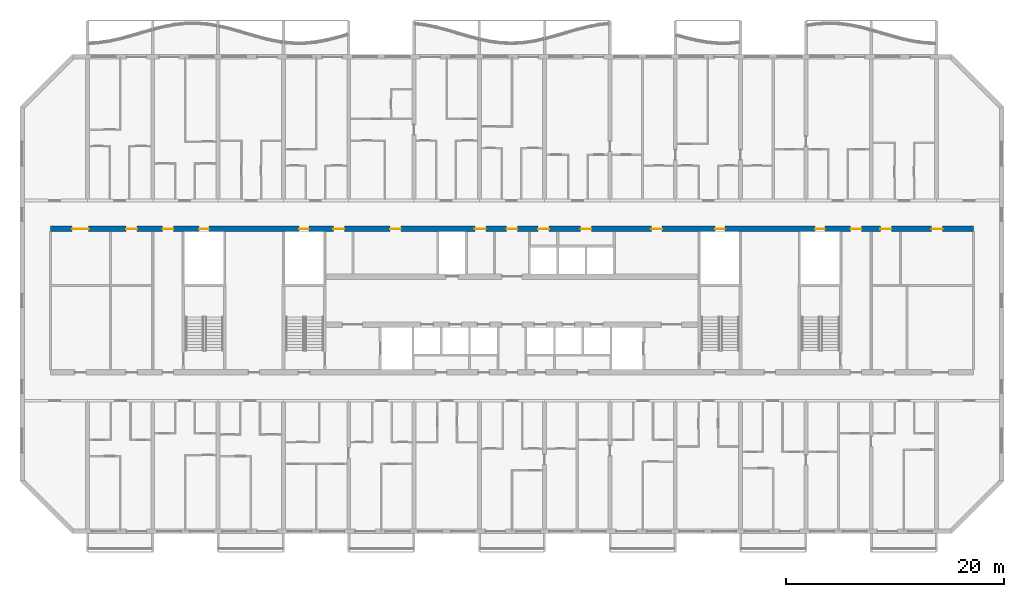
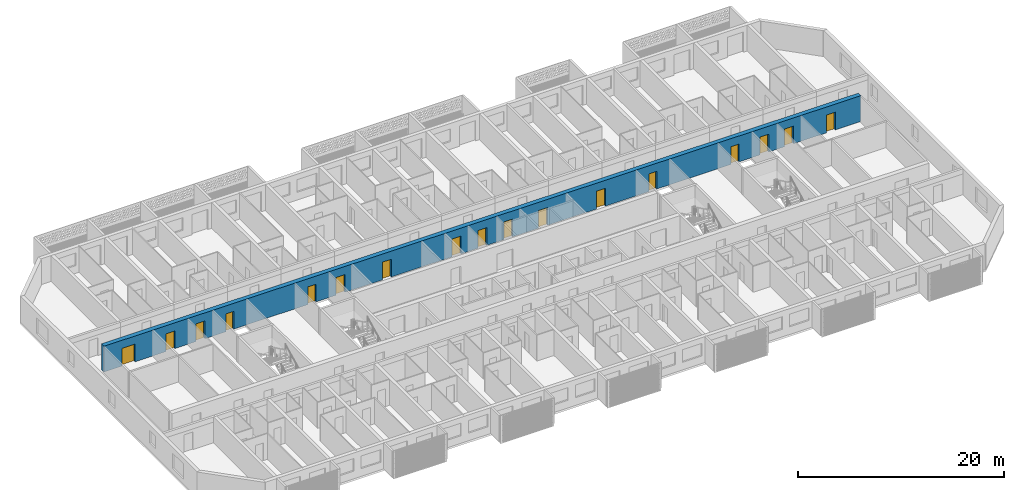
# One storey, part 8 of 27: 17 doors, 1 wall, 17 openings.
"""IFC4 building model written with IfcOpenShell, lengths in metres."""

from ifc_helpers import new_model, si_unit, direction, frame, frame_2d, origin, place, context, subcontext, project, spatial, rectangle, extrude, material, layer, layer_set, type_object, element, fill, save


model = new_model("IFC4")

# Units and contexts
model_context = context("Model", 3, precision=1e-05, world=origin(), true_north=direction((0.0, 1.0)))
body_context = subcontext(model_context, "Body", "Model", "MODEL_VIEW")
ifc_project = project(units=[si_unit("LENGTHUNIT", "METRE"), si_unit("AREAUNIT", "SQUARE_METRE"), si_unit("VOLUMEUNIT", "CUBIC_METRE"), si_unit("PLANEANGLEUNIT", "RADIAN"), si_unit("MASSUNIT", "GRAM", prefix="KILO")], contexts=[model_context])

# Site, building, storey
site_placement = place(None, origin())
site = spatial("IfcSite", under=ifc_project, at=site_placement, CompositionType="ELEMENT")
building_placement = place(site_placement, origin())
building = spatial("IfcBuilding", under=site, at=building_placement, Name="Poui Terraces", CompositionType="ELEMENT")
storey_placement = place(building_placement, frame((0.0, 0.0, 76.199951171875)))
storey = spatial("IfcBuildingStorey", under=building, at=storey_placement, Name="L20", CompositionType="ELEMENT", Elevation=76.199951171875)

# Wall, openings, doors
ifc_material_1 = material(Name="Concrete 65 MPa", Category="concrete")
ifc_layer = layer(ifc_material_1, 0.5)
ifc_layer_set = layer_set([ifc_layer], Name="Concrete 65 MPa")
wall_type = type_object("IfcWallType", Name="SPINE WALL 500 65 MPA", PredefinedType="SOLIDWALL", material=ifc_layer_set)
wall_placement = place(storey_placement, frame((8.60009765625, 27.800048828125, 0.0), z_axis=(0.0, 0.0, 1.0), x_axis=(1.0, 0.0, 0.0)))
wall = element("IfcWall", 1, at=wall_placement, inside=storey, type_object=wall_type, Name="SPINE WALL", PredefinedType="SOLIDWALL", context=body_context, shape_type="SweptSolid", body=[
    extrude(rectangle(XDim=84.7998046875, YDim=0.5, at=frame_2d((42.39990234375, 0.0))), origin(), (0.0, 0.0, 1.0), 3.06005859375),
])
opening_1_placement = place(wall_placement, frame((2.0, 0.0, 0.0)))
opening_1 = element("IfcOpeningElement", 2, at=opening_1_placement, cuts=wall, Name="Opening FDP", PredefinedType="OPENING", context=body_context, shape_type="SweptSolid", body=[
    extrude(rectangle(XDim=1.5, YDim=2.10009765625, at=frame_2d((0.75, 1.050048828125))), frame((0.0, 0.260009765625, 0.0), z_axis=(0.0, -1.0, 0.0), x_axis=(1.0, 0.0, 0.0)), (0.0, 0.0, 1.0), 0.52001953125),
])
opening_2_placement = place(wall_placement, frame((6.949951171875, 0.0, 0.0)))
opening_2 = element("IfcOpeningElement", 3, at=opening_2_placement, cuts=wall, Name="Opening D100", PredefinedType="OPENING", context=body_context, shape_type="SweptSolid", body=[
    extrude(rectangle(XDim=1.0, YDim=2.10009765625, at=frame_2d((0.5, 1.050048828125))), frame((0.0, 0.260009765625, 0.0), z_axis=(0.0, -1.0, 0.0), x_axis=(1.0, 0.0, 0.0)), (0.0, 0.0, 1.0), 0.52001953125),
])
opening_3_placement = place(wall_placement, frame((10.300048828125, 0.0, 0.0)))
opening_3 = element("IfcOpeningElement", 4, at=opening_3_placement, cuts=wall, Name="Opening FDL", PredefinedType="OPENING", context=body_context, shape_type="SweptSolid", body=[
    extrude(rectangle(XDim=1.0, YDim=2.10009765625, at=frame_2d((0.5, 1.050048828125))), frame((0.0, 0.260009765625, 0.0), z_axis=(0.0, -1.0, 0.0), x_axis=(1.0, 0.0, 0.0)), (0.0, 0.0, 1.0), 0.52001953125),
])
opening_4_placement = place(wall_placement, frame((13.64990234375, 0.0, 0.0)))
opening_4 = element("IfcOpeningElement", 5, at=opening_4_placement, cuts=wall, Name="Opening FDR", PredefinedType="OPENING", context=body_context, shape_type="SweptSolid", body=[
    extrude(rectangle(XDim=0.89990234375, YDim=2.10009765625, at=frame_2d((0.449951171875, 1.050048828125))), frame((0.0, 0.260009765625, 0.0), z_axis=(0.0, -1.0, 0.0), x_axis=(1.0, 0.0, 0.0)), (0.0, 0.0, 1.0), 0.52001953125),
])
opening_5_placement = place(wall_placement, frame((22.85009765625, 0.0, 0.0)))
opening_5 = element("IfcOpeningElement", 6, at=opening_5_placement, cuts=wall, Name="Opening FDR", PredefinedType="OPENING", context=body_context, shape_type="SweptSolid", body=[
    extrude(rectangle(XDim=0.89990234375, YDim=2.10009765625, at=frame_2d((0.449951171875, 1.050048828125))), frame((0.0, 0.260009765625, 0.0), z_axis=(0.0, -1.0, 0.0), x_axis=(1.0, 0.0, 0.0)), (0.0, 0.0, 1.0), 0.52001953125),
])
opening_6_placement = place(wall_placement, frame((26.0, 0.0, 0.0)))
opening_6 = element("IfcOpeningElement", 7, at=opening_6_placement, cuts=wall, Name="Opening FD60", PredefinedType="OPENING", context=body_context, shape_type="SweptSolid", body=[
    extrude(rectangle(XDim=1.0, YDim=2.10009765625, at=frame_2d((0.5, 1.050048828125))), frame((0.0, 0.260009765625, 0.0), z_axis=(0.0, -1.0, 0.0), x_axis=(1.0, 0.0, 0.0)), (0.0, 0.0, 1.0), 0.52001953125),
])
opening_7_placement = place(wall_placement, frame((31.199951171875, 0.0, 0.0)))
opening_7 = element("IfcOpeningElement", 8, at=opening_7_placement, cuts=wall, Name="Opening FD60", PredefinedType="OPENING", context=body_context, shape_type="SweptSolid", body=[
    extrude(rectangle(XDim=1.0, YDim=2.10009765625, at=frame_2d((0.5, 1.050048828125))), frame((0.0, 0.260009765625, 0.0), z_axis=(0.0, -1.0, 0.0), x_axis=(1.0, 0.0, 0.0)), (0.0, 0.0, 1.0), 0.52001953125),
])
opening_8_placement = place(wall_placement, frame((39.0, 0.0, 0.0)))
opening_8 = element("IfcOpeningElement", 9, at=opening_8_placement, cuts=wall, Name="Opening FD60", PredefinedType="OPENING", context=body_context, shape_type="SweptSolid", body=[
    extrude(rectangle(XDim=1.0, YDim=2.10009765625, at=frame_2d((0.5, 1.050048828125))), frame((0.0, 0.260009765625, 0.0), z_axis=(0.0, -1.0, 0.0), x_axis=(1.0, 0.0, 0.0)), (0.0, 0.0, 1.0), 0.52001953125),
])
opening_9_placement = place(wall_placement, frame((41.89990234375, 0.0, 0.0)))
opening_9 = element("IfcOpeningElement", 10, at=opening_9_placement, cuts=wall, Name="Opening FDL", PredefinedType="OPENING", context=body_context, shape_type="SweptSolid", body=[
    extrude(rectangle(XDim=1.0, YDim=2.10009765625, at=frame_2d((0.5, 1.050048828125))), frame((0.0, 0.260009765625, 0.0), z_axis=(0.0, -1.0, 0.0), x_axis=(1.0, 0.0, 0.0)), (0.0, 0.0, 1.0), 0.52001953125),
])
opening_10_placement = place(wall_placement, frame((44.800048828125, 0.0, 0.0)))
opening_10 = element("IfcOpeningElement", 11, at=opening_10_placement, cuts=wall, Name="Opening FD60", PredefinedType="OPENING", context=body_context, shape_type="SweptSolid", body=[
    extrude(rectangle(XDim=1.0, YDim=2.10009765625, at=frame_2d((0.5, 1.050048828125))), frame((0.0, 0.260009765625, 0.0), z_axis=(0.0, -1.0, 0.0), x_axis=(1.0, 0.0, 0.0)), (0.0, 0.0, 1.0), 0.52001953125),
])
opening_11_placement = place(wall_placement, frame((48.699951171875, 0.0, 0.0)))
opening_11 = element("IfcOpeningElement", 12, at=opening_11_placement, cuts=wall, Name="Opening FD60", PredefinedType="OPENING", context=body_context, shape_type="SweptSolid", body=[
    extrude(rectangle(XDim=1.0, YDim=2.10009765625, at=frame_2d((0.5, 1.050048828125))), frame((0.0, 0.260009765625, 0.0), z_axis=(0.0, -1.0, 0.0), x_axis=(1.0, 0.0, 0.0)), (0.0, 0.0, 1.0), 0.52001953125),
])
opening_12_placement = place(wall_placement, frame((55.199951171875, 0.0, 0.0)))
opening_12 = element("IfcOpeningElement", 13, at=opening_12_placement, cuts=wall, Name="Opening FD60", PredefinedType="OPENING", context=body_context, shape_type="SweptSolid", body=[
    extrude(rectangle(XDim=1.0, YDim=2.10009765625, at=frame_2d((0.5, 1.050048828125))), frame((0.0, 0.260009765625, 0.0), z_axis=(0.0, -1.0, 0.0), x_axis=(1.0, 0.0, 0.0)), (0.0, 0.0, 1.0), 0.52001953125),
])
opening_13_placement = place(wall_placement, frame((61.050048828125, 0.0, 0.0)))
opening_13 = element("IfcOpeningElement", 14, at=opening_13_placement, cuts=wall, Name="Opening FDR", PredefinedType="OPENING", context=body_context, shape_type="SweptSolid", body=[
    extrude(rectangle(XDim=0.89990234375, YDim=2.10009765625, at=frame_2d((0.449951171875, 1.050048828125))), frame((0.0, 0.260009765625, 0.0), z_axis=(0.0, -1.0, 0.0), x_axis=(1.0, 0.0, 0.0)), (0.0, 0.0, 1.0), 0.52001953125),
])
opening_14_placement = place(wall_placement, frame((70.25, 0.0, 0.0)))
opening_14 = element("IfcOpeningElement", 15, at=opening_14_placement, cuts=wall, Name="Opening FDR", PredefinedType="OPENING", context=body_context, shape_type="SweptSolid", body=[
    extrude(rectangle(XDim=0.89990234375, YDim=2.10009765625, at=frame_2d((0.449951171875, 1.050048828125))), frame((0.0, 0.260009765625, 0.0), z_axis=(0.0, -1.0, 0.0), x_axis=(1.0, 0.0, 0.0)), (0.0, 0.0, 1.0), 0.52001953125),
])
opening_15_placement = place(wall_placement, frame((73.5, 0.0, 0.0)))
opening_15 = element("IfcOpeningElement", 16, at=opening_15_placement, cuts=wall, Name="Opening FDL", PredefinedType="OPENING", context=body_context, shape_type="SweptSolid", body=[
    extrude(rectangle(XDim=1.0, YDim=2.10009765625, at=frame_2d((0.5, 1.050048828125))), frame((0.0, 0.260009765625, 0.0), z_axis=(0.0, -1.0, 0.0), x_axis=(1.0, 0.0, 0.0)), (0.0, 0.0, 1.0), 0.52001953125),
])
opening_16_placement = place(wall_placement, frame((76.25, 0.0, 0.0)))
opening_16 = element("IfcOpeningElement", 17, at=opening_16_placement, cuts=wall, Name="Opening FD60", PredefinedType="OPENING", context=body_context, shape_type="SweptSolid", body=[
    extrude(rectangle(XDim=1.0, YDim=2.10009765625, at=frame_2d((0.5, 1.050048828125))), frame((0.0, 0.260009765625, 0.0), z_axis=(0.0, -1.0, 0.0), x_axis=(1.0, 0.0, 0.0)), (0.0, 0.0, 1.0), 0.52001953125),
])
opening_17_placement = place(wall_placement, frame((80.949951171875, 0.0, 0.0)))
opening_17 = element("IfcOpeningElement", 18, at=opening_17_placement, cuts=wall, Name="Opening FD60", PredefinedType="OPENING", context=body_context, shape_type="SweptSolid", body=[
    extrude(rectangle(XDim=1.0, YDim=2.10009765625, at=frame_2d((0.5, 1.050048828125))), frame((0.0, 0.260009765625, 0.0), z_axis=(0.0, -1.0, 0.0), x_axis=(1.0, 0.0, 0.0)), (0.0, 0.0, 1.0), 0.52001953125),
])
ifc_material_2 = material(Name="Solid core timber door", Category="wood")
door_type_1 = type_object("IfcDoorType", Name="ACCESSIBLE INTERNAL DOOR 1000 X 2100", OperationType="NOTDEFINED", PredefinedType="DOOR", material=ifc_material_2)
door_1_placement = place(opening_2_placement, origin())
door_1 = element("IfcDoor", 19, at=door_1_placement, inside=storey, type_object=door_type_1, Name="ACCESSIBLE INTERNAL DOOR 002", OperationType="SINGLE_SWING_RIGHT", OverallHeight=2.10009765625, OverallWidth=1.0, PredefinedType="DOOR", context=body_context, shape_type="SweptSolid", body=[
    extrude(rectangle(XDim=1.0, YDim=2.10009765625, at=frame_2d((0.5, 1.050048828125))), frame((0.0, 0.02490234375, 0.0), z_axis=(0.0, -1.0, 0.0), x_axis=(1.0, 0.0, 0.0)), (0.0, 0.0, 1.0), 0.050048828125),
])
fill(opening_2, door_1)
ifc_material_3 = material(Name="Steel fire door", Category="steel")
door_type_2 = type_object("IfcDoorType", Name="LOBBY FIRE DOOR 1000 X 2100", OperationType="NOTDEFINED", PredefinedType="DOOR", material=ifc_material_3)
door_2_placement = place(opening_3_placement, origin())
door_2 = element("IfcDoor", 20, at=door_2_placement, inside=storey, type_object=door_type_2, Name="LOBBY FIRE DOOR 003", OperationType="SINGLE_SWING_LEFT", OverallHeight=2.10009765625, OverallWidth=1.0, PredefinedType="DOOR", context=body_context, shape_type="SweptSolid", body=[
    extrude(rectangle(XDim=1.0, YDim=2.10009765625, at=frame_2d((0.5, 1.050048828125))), frame((0.0, 0.02490234375, 0.0), z_axis=(0.0, -1.0, 0.0), x_axis=(1.0, 0.0, 0.0)), (0.0, 0.0, 1.0), 0.050048828125),
])
fill(opening_3, door_2)
door_3_placement = place(opening_9_placement, origin())
door_3 = element("IfcDoor", 21, at=door_3_placement, inside=storey, type_object=door_type_2, Name="LOBBY FIRE DOOR 009", OperationType="SINGLE_SWING_RIGHT", OverallHeight=2.10009765625, OverallWidth=1.0, PredefinedType="DOOR", context=body_context, shape_type="SweptSolid", body=[
    extrude(rectangle(XDim=1.0, YDim=2.10009765625, at=frame_2d((0.5, 1.050048828125))), frame((0.0, 0.02490234375, 0.0), z_axis=(0.0, -1.0, 0.0), x_axis=(1.0, 0.0, 0.0)), (0.0, 0.0, 1.0), 0.050048828125),
])
fill(opening_9, door_3)
door_4_placement = place(opening_15_placement, origin())
door_4 = element("IfcDoor", 22, at=door_4_placement, inside=storey, type_object=door_type_2, Name="LOBBY FIRE DOOR 015", OperationType="SINGLE_SWING_RIGHT", OverallHeight=2.10009765625, OverallWidth=1.0, PredefinedType="DOOR", context=body_context, shape_type="SweptSolid", body=[
    extrude(rectangle(XDim=1.0, YDim=2.10009765625, at=frame_2d((0.5, 1.050048828125))), frame((0.0, 0.02490234375, 0.0), z_axis=(0.0, -1.0, 0.0), x_axis=(1.0, 0.0, 0.0)), (0.0, 0.0, 1.0), 0.050048828125),
])
fill(opening_15, door_4)
door_type_3 = type_object("IfcDoorType", Name="PLANT ROOM DOOR PAIR 1500 X 2100", OperationType="DOUBLE_DOOR_SINGLE_SWING", PredefinedType="DOOR", material=ifc_material_3)
door_5_placement = place(opening_1_placement, origin())
door_5 = element("IfcDoor", 23, at=door_5_placement, inside=storey, type_object=door_type_3, Name="PLANT ROOM DOOR PAIR 001", OperationType="DOUBLE_DOOR_SINGLE_SWING", OverallHeight=2.10009765625, OverallWidth=1.5, PredefinedType="DOOR", context=body_context, shape_type="SweptSolid", body=[
    extrude(rectangle(XDim=1.5, YDim=2.10009765625, at=frame_2d((0.75, 1.050048828125))), frame((0.0, 0.02490234375, 0.0), z_axis=(0.0, -1.0, 0.0), x_axis=(1.0, 0.0, 0.0)), (0.0, 0.0, 1.0), 0.050048828125),
])
fill(opening_1, door_5)
door_type_4 = type_object("IfcDoorType", Name="RISER CUPBOARD DOOR 900 X 2100", OperationType="NOTDEFINED", PredefinedType="DOOR", material=ifc_material_3)
door_6_placement = place(opening_4_placement, origin())
door_6 = element("IfcDoor", 24, at=door_6_placement, inside=storey, type_object=door_type_4, Name="RISER CUPBOARD DOOR 004", OperationType="SINGLE_SWING_LEFT", OverallHeight=2.10009765625, OverallWidth=0.89990234375, PredefinedType="DOOR", context=body_context, shape_type="SweptSolid", body=[
    extrude(rectangle(XDim=0.89990234375, YDim=2.10009765625, at=frame_2d((0.449951171875, 1.050048828125))), frame((0.0, 0.02490234375, 0.0), z_axis=(0.0, -1.0, 0.0), x_axis=(1.0, 0.0, 0.0)), (0.0, 0.0, 1.0), 0.050048828125),
])
fill(opening_4, door_6)
door_7_placement = place(opening_5_placement, origin())
door_7 = element("IfcDoor", 25, at=door_7_placement, inside=storey, type_object=door_type_4, Name="RISER CUPBOARD DOOR 005", OperationType="SINGLE_SWING_LEFT", OverallHeight=2.10009765625, OverallWidth=0.89990234375, PredefinedType="DOOR", context=body_context, shape_type="SweptSolid", body=[
    extrude(rectangle(XDim=0.89990234375, YDim=2.10009765625, at=frame_2d((0.449951171875, 1.050048828125))), frame((0.0, 0.02490234375, 0.0), z_axis=(0.0, -1.0, 0.0), x_axis=(1.0, 0.0, 0.0)), (0.0, 0.0, 1.0), 0.050048828125),
])
fill(opening_5, door_7)
door_8_placement = place(opening_13_placement, origin())
door_8 = element("IfcDoor", 26, at=door_8_placement, inside=storey, type_object=door_type_4, Name="RISER CUPBOARD DOOR 013", OperationType="SINGLE_SWING_RIGHT", OverallHeight=2.10009765625, OverallWidth=0.89990234375, PredefinedType="DOOR", context=body_context, shape_type="SweptSolid", body=[
    extrude(rectangle(XDim=0.89990234375, YDim=2.10009765625, at=frame_2d((0.449951171875, 1.050048828125))), frame((0.0, 0.02490234375, 0.0), z_axis=(0.0, -1.0, 0.0), x_axis=(1.0, 0.0, 0.0)), (0.0, 0.0, 1.0), 0.050048828125),
])
fill(opening_13, door_8)
door_9_placement = place(opening_14_placement, origin())
door_9 = element("IfcDoor", 27, at=door_9_placement, inside=storey, type_object=door_type_4, Name="RISER CUPBOARD DOOR 014", OperationType="SINGLE_SWING_RIGHT", OverallHeight=2.10009765625, OverallWidth=0.89990234375, PredefinedType="DOOR", context=body_context, shape_type="SweptSolid", body=[
    extrude(rectangle(XDim=0.89990234375, YDim=2.10009765625, at=frame_2d((0.449951171875, 1.050048828125))), frame((0.0, 0.02490234375, 0.0), z_axis=(0.0, -1.0, 0.0), x_axis=(1.0, 0.0, 0.0)), (0.0, 0.0, 1.0), 0.050048828125),
])
fill(opening_14, door_9)
door_type_5 = type_object("IfcDoorType", Name="SERVICE ROOM FIRE DOOR 1000 X 2100", OperationType="NOTDEFINED", PredefinedType="DOOR", material=ifc_material_3)
door_10_placement = place(opening_6_placement, origin())
door_10 = element("IfcDoor", 28, at=door_10_placement, inside=storey, type_object=door_type_5, Name="SERVICE ROOM FIRE DOOR 006", OperationType="SINGLE_SWING_LEFT", OverallHeight=2.10009765625, OverallWidth=1.0, PredefinedType="DOOR", context=body_context, shape_type="SweptSolid", body=[
    extrude(rectangle(XDim=1.0, YDim=2.10009765625, at=frame_2d((0.5, 1.050048828125))), frame((0.0, 0.02490234375, 0.0), z_axis=(0.0, -1.0, 0.0), x_axis=(1.0, 0.0, 0.0)), (0.0, 0.0, 1.0), 0.050048828125),
])
fill(opening_6, door_10)
door_11_placement = place(opening_7_placement, origin())
door_11 = element("IfcDoor", 29, at=door_11_placement, inside=storey, type_object=door_type_5, Name="SERVICE ROOM FIRE DOOR 007", OperationType="SINGLE_SWING_RIGHT", OverallHeight=2.10009765625, OverallWidth=1.0, PredefinedType="DOOR", context=body_context, shape_type="SweptSolid", body=[
    extrude(rectangle(XDim=1.0, YDim=2.10009765625, at=frame_2d((0.5, 1.050048828125))), frame((0.0, 0.02490234375, 0.0), z_axis=(0.0, -1.0, 0.0), x_axis=(1.0, 0.0, 0.0)), (0.0, 0.0, 1.0), 0.050048828125),
])
fill(opening_7, door_11)
door_12_placement = place(opening_8_placement, origin())
door_12 = element("IfcDoor", 30, at=door_12_placement, inside=storey, type_object=door_type_5, Name="SERVICE ROOM FIRE DOOR 008", OperationType="SINGLE_SWING_LEFT", OverallHeight=2.10009765625, OverallWidth=1.0, PredefinedType="DOOR", context=body_context, shape_type="SweptSolid", body=[
    extrude(rectangle(XDim=1.0, YDim=2.10009765625, at=frame_2d((0.5, 1.050048828125))), frame((0.0, 0.02490234375, 0.0), z_axis=(0.0, -1.0, 0.0), x_axis=(1.0, 0.0, 0.0)), (0.0, 0.0, 1.0), 0.050048828125),
])
fill(opening_8, door_12)
door_13_placement = place(opening_10_placement, origin())
door_13 = element("IfcDoor", 31, at=door_13_placement, inside=storey, type_object=door_type_5, Name="SERVICE ROOM FIRE DOOR 010", OperationType="SINGLE_SWING_RIGHT", OverallHeight=2.10009765625, OverallWidth=1.0, PredefinedType="DOOR", context=body_context, shape_type="SweptSolid", body=[
    extrude(rectangle(XDim=1.0, YDim=2.10009765625, at=frame_2d((0.5, 1.050048828125))), frame((0.0, 0.02490234375, 0.0), z_axis=(0.0, -1.0, 0.0), x_axis=(1.0, 0.0, 0.0)), (0.0, 0.0, 1.0), 0.050048828125),
])
fill(opening_10, door_13)
door_14_placement = place(opening_11_placement, origin())
door_14 = element("IfcDoor", 32, at=door_14_placement, inside=storey, type_object=door_type_5, Name="SERVICE ROOM FIRE DOOR 011", OperationType="SINGLE_SWING_LEFT", OverallHeight=2.10009765625, OverallWidth=1.0, PredefinedType="DOOR", context=body_context, shape_type="SweptSolid", body=[
    extrude(rectangle(XDim=1.0, YDim=2.10009765625, at=frame_2d((0.5, 1.050048828125))), frame((0.0, 0.02490234375, 0.0), z_axis=(0.0, -1.0, 0.0), x_axis=(1.0, 0.0, 0.0)), (0.0, 0.0, 1.0), 0.050048828125),
])
fill(opening_11, door_14)
door_15_placement = place(opening_12_placement, origin())
door_15 = element("IfcDoor", 33, at=door_15_placement, inside=storey, type_object=door_type_5, Name="SERVICE ROOM FIRE DOOR 012", OperationType="SINGLE_SWING_RIGHT", OverallHeight=2.10009765625, OverallWidth=1.0, PredefinedType="DOOR", context=body_context, shape_type="SweptSolid", body=[
    extrude(rectangle(XDim=1.0, YDim=2.10009765625, at=frame_2d((0.5, 1.050048828125))), frame((0.0, 0.02490234375, 0.0), z_axis=(0.0, -1.0, 0.0), x_axis=(1.0, 0.0, 0.0)), (0.0, 0.0, 1.0), 0.050048828125),
])
fill(opening_12, door_15)
door_16_placement = place(opening_16_placement, origin())
door_16 = element("IfcDoor", 34, at=door_16_placement, inside=storey, type_object=door_type_5, Name="SERVICE ROOM FIRE DOOR 016", OperationType="SINGLE_SWING_LEFT", OverallHeight=2.10009765625, OverallWidth=1.0, PredefinedType="DOOR", context=body_context, shape_type="SweptSolid", body=[
    extrude(rectangle(XDim=1.0, YDim=2.10009765625, at=frame_2d((0.5, 1.050048828125))), frame((0.0, 0.02490234375, 0.0), z_axis=(0.0, -1.0, 0.0), x_axis=(1.0, 0.0, 0.0)), (0.0, 0.0, 1.0), 0.050048828125),
])
fill(opening_16, door_16)
door_17_placement = place(opening_17_placement, origin())
door_17 = element("IfcDoor", 35, at=door_17_placement, inside=storey, type_object=door_type_5, Name="SERVICE ROOM FIRE DOOR 017", OperationType="SINGLE_SWING_RIGHT", OverallHeight=2.10009765625, OverallWidth=1.0, PredefinedType="DOOR", context=body_context, shape_type="SweptSolid", body=[
    extrude(rectangle(XDim=1.0, YDim=2.10009765625, at=frame_2d((0.5, 1.050048828125))), frame((0.0, 0.02490234375, 0.0), z_axis=(0.0, -1.0, 0.0), x_axis=(1.0, 0.0, 0.0)), (0.0, 0.0, 1.0), 0.050048828125),
])
fill(opening_17, door_17)

save(model, "model.ifc")
